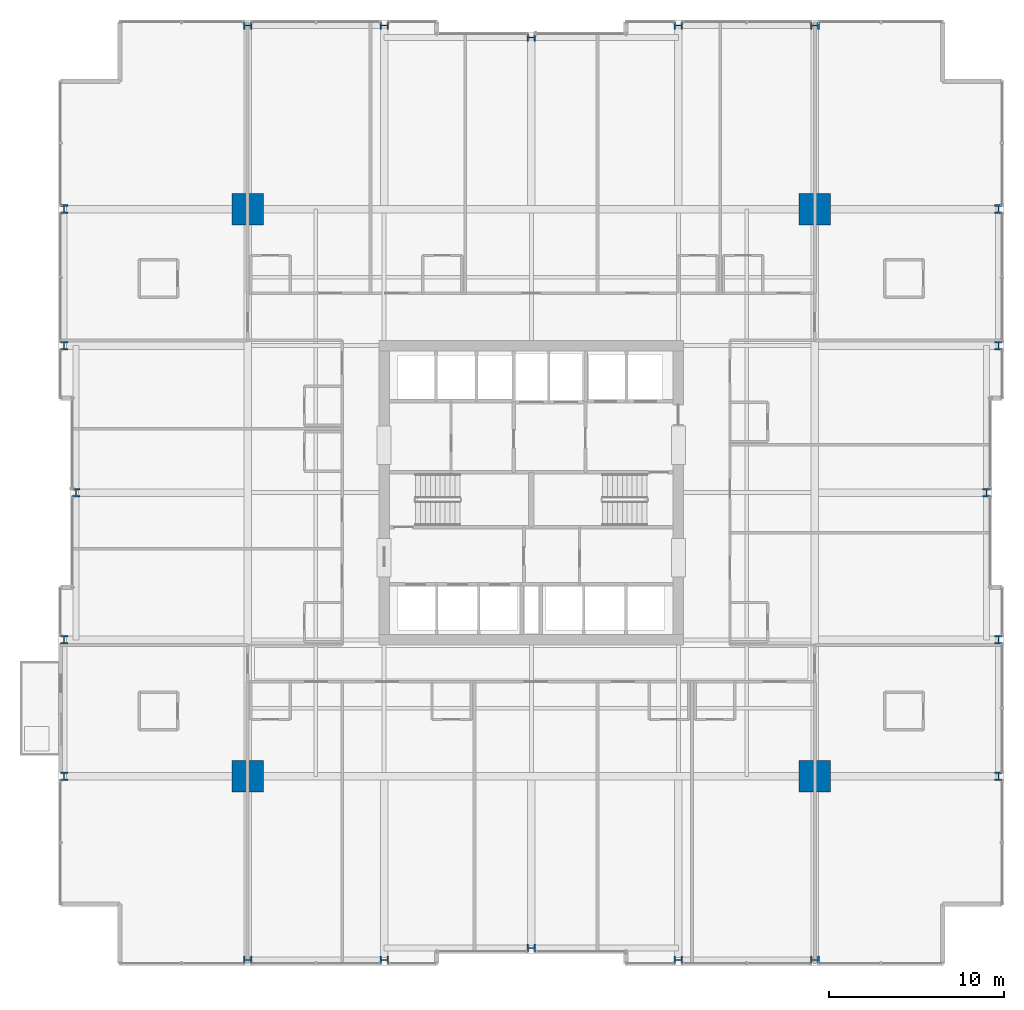
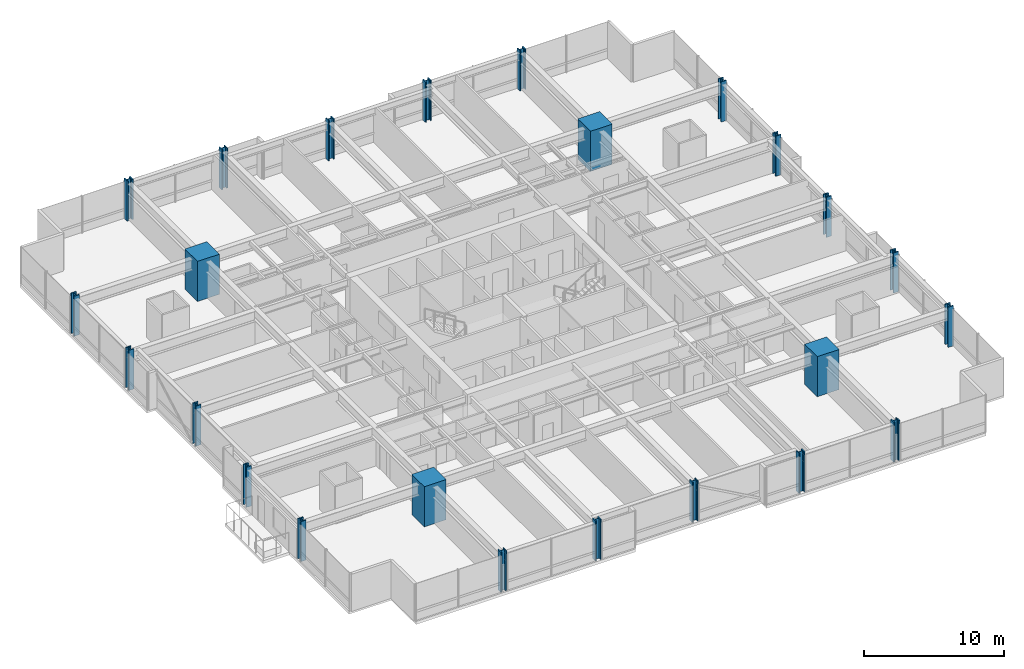
# One storey, part 1 of 38: 24 columns.
"""IFC4 building model written with IfcOpenShell, lengths in metres."""

from ifc_helpers import new_model, si_unit, direction, frame, origin, origin_2d, place, context, subcontext, project, spatial, rectangle, i_section, extrude, material, material_profile, profile_set, type_object, element, save


model = new_model("IFC4")

# Units and contexts
model_context = context("Model", 3, precision=1e-05, world=origin(), true_north=direction((0.0, 1.0)))
body_context = subcontext(model_context, "Body", "Model", "MODEL_VIEW")
ifc_project = project(units=[si_unit("LENGTHUNIT", "METRE"), si_unit("AREAUNIT", "SQUARE_METRE"), si_unit("VOLUMEUNIT", "CUBIC_METRE"), si_unit("PLANEANGLEUNIT", "RADIAN"), si_unit("MASSUNIT", "GRAM", prefix="KILO")], contexts=[model_context])

# Site, building, storey
site_placement = place(None, origin())
site = spatial("IfcSite", under=ifc_project, at=site_placement, CompositionType="ELEMENT")
building_placement = place(site_placement, origin())
building = spatial("IfcBuilding", under=site, at=building_placement, Name="Drelvath Grand Hotel", CompositionType="ELEMENT")
storey_placement = place(building_placement, frame((0.0, 0.0, 57.699951171875)))
storey = spatial("IfcBuildingStorey", under=building, at=storey_placement, Name="L13", CompositionType="ELEMENT", Elevation=57.699951171875)

# Columns
ifc_material_1 = material(Name="Concrete f'c 70 MPa", Category="concrete")
ifc_material_profile_1 = material_profile(ifc_material_1, rectangle(XDim=1.800048828125, YDim=1.800048828125, at=origin_2d()), Name="MC1800X1800")
ifc_profile_set_1 = profile_set([ifc_material_profile_1], Name="Concrete f'c 70 MPa")
column_type_1 = type_object("IfcColumnType", Name="Composite Mega Column MC1800X1800", PredefinedType="COLUMN", material=ifc_profile_set_1)
for number, where, z_axis, x_axis, name in (
    (1, (-16.199951171875, 10.800048828125, 0.0), (0.0, 0.0, 1.0), (1.0, 0.0, 0.0), "L13 Composite Mega Column MC-SW"),
    (2, (16.199951171875, 10.800048828125, 0.0), (0.0, 0.0, 1.0), (1.0, 0.0, 0.0), "L13 Composite Mega Column MC-SE"),
    (3, (-16.199951171875, 43.199951171875, 0.0), (0.0, 0.0, 1.0), (1.0, 0.0, 0.0), "L13 Composite Mega Column MC-NW"),
    (4, (16.199951171875, 43.199951171875, 0.0), (0.0, 0.0, 1.0), (1.0, 0.0, 0.0), "L13 Composite Mega Column MC-NE"),
):
    element("IfcColumn", number, at=place(storey_placement, frame(where, z_axis=z_axis, x_axis=x_axis)), inside=storey, type_object=column_type_1, Name=name, PredefinedType="COLUMN", context=body_context, shape_type="SweptSolid", body=[
        extrude(rectangle(XDim=1.800048828125, YDim=1.800048828125, at=origin_2d()), origin(), (0.0, 0.0, 1.0), 3.5),
    ])
ifc_material_2 = material(Name="Steel ASTM A913 Gr 65", Category="steel")
ifc_material_profile_2 = material_profile(ifc_material_2, i_section(OverallWidth=0.43212890625, OverallDepth=0.497802734375, WebThickness=0.0556640625, FlangeThickness=0.0888671875, FilletRadius=0.030029296875, at=origin_2d()), Name="W14X500")
ifc_profile_set_2 = profile_set([ifc_material_profile_2], Name="Steel ASTM A913 Gr 65")
column_type_2 = type_object("IfcColumnType", Name="Perimeter Steel Column W14X500", PredefinedType="COLUMN", material=ifc_profile_set_2)
for number, where, z_axis, x_axis, name in (
    (5, (-26.679931640625, 10.800048828125, 0.0), (0.0, 0.0, 1.0), (1.0, 0.0, 0.0), "L13 Structural Column TCW-C"),
    (6, (26.679931640625, 10.800048828125, 0.0), (0.0, 0.0, 1.0), (1.0, 0.0, 0.0), "L13 Structural Column TCE-C"),
    (7, (-26.679931640625, 18.60009765625, 0.0), (0.0, 0.0, 1.0), (1.0, 0.0, 0.0), "L13 Structural Column TCW-D"),
    (8, (26.679931640625, 18.60009765625, 0.0), (0.0, 0.0, 1.0), (1.0, 0.0, 0.0), "L13 Structural Column TCE-D"),
    (9, (-26.0, 27.0, 0.0), (0.0, 0.0, 1.0), (1.0, 0.0, 0.0), "L13 Structural Column TCW-E"),
    (10, (26.0, 27.0, 0.0), (0.0, 0.0, 1.0), (1.0, 0.0, 0.0), "L13 Structural Column TCE-E"),
    (11, (-26.679931640625, 35.39990234375, 0.0), (0.0, 0.0, 1.0), (1.0, 0.0, 0.0), "L13 Structural Column TCW-F"),
    (12, (26.679931640625, 35.39990234375, 0.0), (0.0, 0.0, 1.0), (1.0, 0.0, 0.0), "L13 Structural Column TCE-F"),
    (13, (-26.679931640625, 43.199951171875, 0.0), (0.0, 0.0, 1.0), (1.0, 0.0, 0.0), "L13 Structural Column TCW-G"),
    (14, (26.679931640625, 43.199951171875, 0.0), (0.0, 0.0, 1.0), (1.0, 0.0, 0.0), "L13 Structural Column TCE-G"),
    (15, (-16.199951171875, 0.320068359375, 0.0), (0.0, 0.0, 1.0), (0.0, 1.0, 0.0), "L13 Structural Column TCS-3"),
    (16, (-16.199951171875, 53.679931640625, 0.0), (0.0, 0.0, 1.0), (0.0, 1.0, 0.0), "L13 Structural Column TCN-3"),
    (17, (-8.39990234375, 0.320068359375, 0.0), (0.0, 0.0, 1.0), (0.0, 1.0, 0.0), "L13 Structural Column TCS-4"),
    (18, (-8.39990234375, 53.679931640625, 0.0), (0.0, 0.0, 1.0), (0.0, 1.0, 0.0), "L13 Structural Column TCN-4"),
    (19, (0.0, 1.0, 0.0), (0.0, 0.0, 1.0), (0.0, 1.0, 0.0), "L13 Structural Column TCS-5"),
    (20, (0.0, 53.0, 0.0), (0.0, 0.0, 1.0), (0.0, 1.0, 0.0), "L13 Structural Column TCN-5"),
    (21, (8.39990234375, 0.320068359375, 0.0), (0.0, 0.0, 1.0), (0.0, 1.0, 0.0), "L13 Structural Column TCS-6"),
    (22, (8.39990234375, 53.679931640625, 0.0), (0.0, 0.0, 1.0), (0.0, 1.0, 0.0), "L13 Structural Column TCN-6"),
    (23, (16.199951171875, 0.320068359375, 0.0), (0.0, 0.0, 1.0), (0.0, 1.0, 0.0), "L13 Structural Column TCS-7"),
    (24, (16.199951171875, 53.679931640625, 0.0), (0.0, 0.0, 1.0), (0.0, 1.0, 0.0), "L13 Structural Column TCN-7"),
):
    element("IfcColumn", number, at=place(storey_placement, frame(where, z_axis=z_axis, x_axis=x_axis)), inside=storey, type_object=column_type_2, Name=name, PredefinedType="COLUMN", context=body_context, shape_type="SweptSolid", body=[
        extrude(i_section(OverallWidth=0.43212890625, OverallDepth=0.497802734375, WebThickness=0.0556640625, FlangeThickness=0.0888671875, FilletRadius=0.030029296875, at=origin_2d()), origin(), (0.0, 0.0, 1.0), 3.4970703125),
    ])

save(model, "model.ifc")
